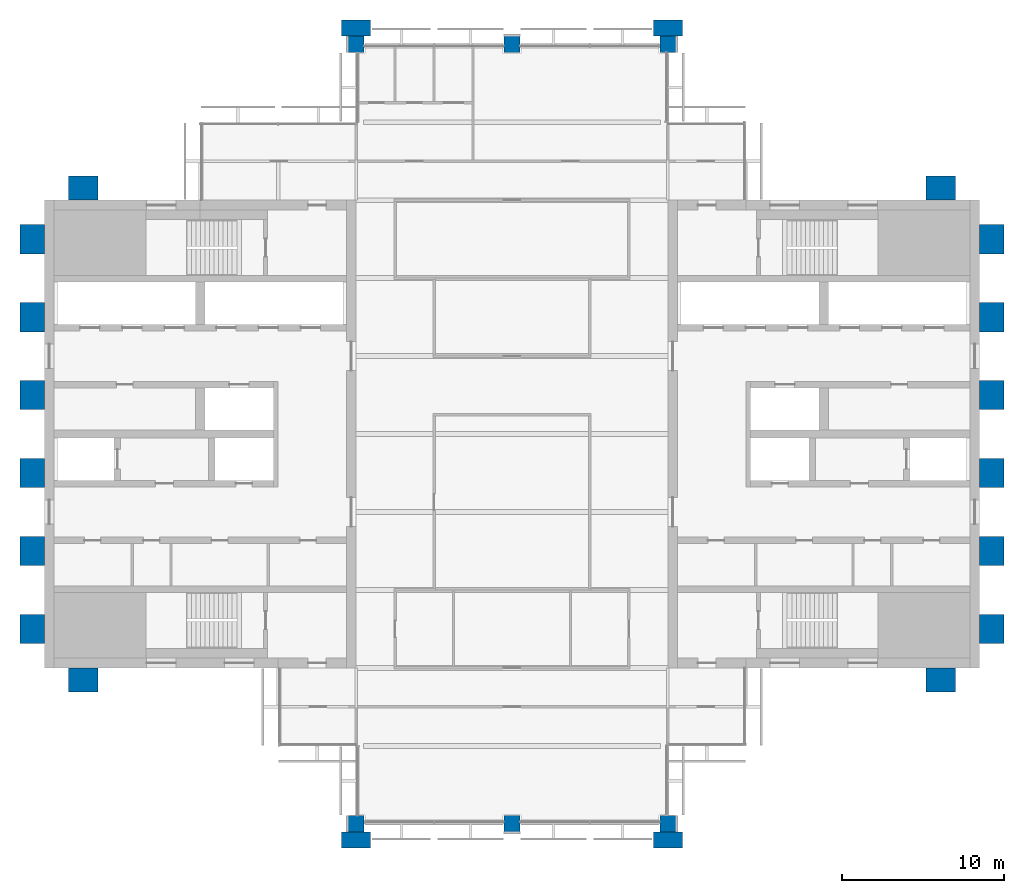
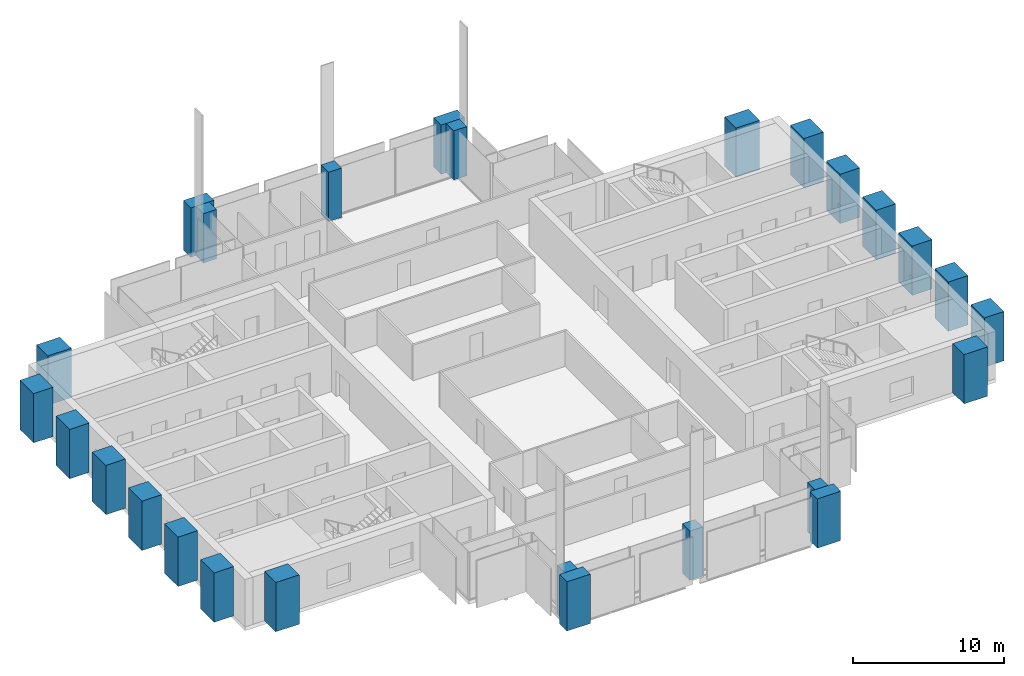
# One storey, part 1 of 12: 26 columns.
"""IFC4 building model written with IfcOpenShell, lengths in metres."""

from ifc_helpers import new_model, si_unit, direction, frame, origin, origin_2d, place, context, subcontext, project, spatial, rectangle, extrude, material, material_profile, profile_set, type_object, element, save


model = new_model("IFC4")

# Units and contexts
model_context = context("Model", 3, precision=1e-05, world=origin(), true_north=direction((0.0, 1.0)))
body_context = subcontext(model_context, "Body", "Model", "MODEL_VIEW")
ifc_project = project(units=[si_unit("LENGTHUNIT", "METRE"), si_unit("AREAUNIT", "SQUARE_METRE"), si_unit("VOLUMEUNIT", "CUBIC_METRE"), si_unit("PLANEANGLEUNIT", "RADIAN"), si_unit("MASSUNIT", "GRAM", prefix="KILO")], contexts=[model_context])

# Site, building, storey
site_placement = place(None, origin())
site = spatial("IfcSite", under=ifc_project, at=site_placement, CompositionType="ELEMENT")
building_placement = place(site_placement, origin())
building = spatial("IfcBuilding", under=site, at=building_placement, Name="Baori Bourse Tower", CompositionType="ELEMENT")
storey_placement = place(building_placement, frame((0.0, 0.0, 282.300048828125)))
storey = spatial("IfcBuildingStorey", under=building, at=storey_placement, Name="L61", CompositionType="ELEMENT", Elevation=282.300048828125)

# Columns
ifc_material_1 = material(Name="Concrete f'c 60 MPa", Category="concrete")
ifc_material_profile_1 = material_profile(ifc_material_1, rectangle(XDim=1.800048828125, YDim=1.0, at=origin_2d()), Name="RC 1800x1000")
ifc_profile_set_1 = profile_set([ifc_material_profile_1], Name="Concrete f'c 60 MPa")
column_type_1 = type_object("IfcColumnType", Name="FN3 Brick pilaster 1800x1000", PredefinedType="PILASTER", material=ifc_profile_set_1)
for number, where, z_axis, x_axis, name in (
    (1, (19.199951171875, -1.0, 0.0), (0.0, 0.0, 1.0), (1.0, 0.0, 0.0), "Brick pilaster L61 17"),
    (2, (38.39990234375, -1.0, 0.0), (0.0, 0.0, 1.0), (1.0, 0.0, 0.0), "Brick pilaster L61 18"),
    (3, (19.199951171875, 49.0, 0.0), (0.0, 0.0, 1.0), (1.0, 0.0, 0.0), "Brick pilaster L61 19"),
    (4, (38.39990234375, 49.0, 0.0), (0.0, 0.0, 1.0), (1.0, 0.0, 0.0), "Brick pilaster L61 20"),
):
    element("IfcColumn", number, at=place(storey_placement, frame(where, z_axis=z_axis, x_axis=x_axis)), inside=storey, type_object=column_type_1, Name=name, PredefinedType="PILASTER", context=body_context, shape_type="SweptSolid", body=[
        extrude(rectangle(XDim=1.800048828125, YDim=1.0, at=origin_2d()), origin(), (0.0, 0.0, 1.0), 4.0),
    ])
ifc_material_2 = material(Name="Concrete f'c 60 MPa", Category="concrete")
ifc_material_profile_2 = material_profile(ifc_material_2, rectangle(XDim=1.800048828125, YDim=1.5, at=origin_2d()), Name="RC 1800x1500")
ifc_profile_set_2 = profile_set([ifc_material_profile_2], Name="Concrete f'c 60 MPa")
column_type_2 = type_object("IfcColumnType", Name="FN4 Brick flank pilaster 1800x1500", PredefinedType="PILASTER", material=ifc_profile_set_2)
for number, where, z_axis, x_axis, name in (
    (5, (55.199951171875, 8.85009765625, 0.0), (0.0, 0.0, 1.0), (1.0, 0.0, 0.0), "Brick pilaster L61 1"),
    (6, (58.35009765625, 12.0, 0.0), (0.0, 0.0, 1.0), (0.0, 1.0, 0.0), "Brick pilaster L61 2"),
    (7, (58.35009765625, 16.800048828125, 0.0), (0.0, 0.0, 1.0), (0.0, 1.0, 0.0), "Brick pilaster L61 3"),
    (8, (58.35009765625, 21.60009765625, 0.0), (0.0, 0.0, 1.0), (0.0, 1.0, 0.0), "Brick pilaster L61 4"),
    (9, (58.35009765625, 26.39990234375, 0.0), (0.0, 0.0, 1.0), (0.0, 1.0, 0.0), "Brick pilaster L61 5"),
    (10, (58.35009765625, 31.199951171875, 0.0), (0.0, 0.0, 1.0), (0.0, 1.0, 0.0), "Brick pilaster L61 6"),
    (11, (58.35009765625, 36.0, 0.0), (0.0, 0.0, 1.0), (0.0, 1.0, 0.0), "Brick pilaster L61 7"),
    (12, (55.199951171875, 39.14990234375, 0.0), (0.0, 0.0, 1.0), (1.0, 0.0, 0.0), "Brick pilaster L61 8"),
    (13, (2.39990234375, 39.14990234375, 0.0), (0.0, 0.0, 1.0), (1.0, 0.0, 0.0), "Brick pilaster L61 9"),
    (14, (-0.75, 12.0, 0.0), (0.0, 0.0, 1.0), (0.0, 1.0, 0.0), "Brick pilaster L61 10"),
    (15, (-0.75, 16.800048828125, 0.0), (0.0, 0.0, 1.0), (0.0, 1.0, 0.0), "Brick pilaster L61 11"),
    (16, (-0.75, 21.60009765625, 0.0), (0.0, 0.0, 1.0), (0.0, 1.0, 0.0), "Brick pilaster L61 12"),
    (17, (-0.75, 26.39990234375, 0.0), (0.0, 0.0, 1.0), (0.0, 1.0, 0.0), "Brick pilaster L61 13"),
    (18, (-0.75, 31.199951171875, 0.0), (0.0, 0.0, 1.0), (0.0, 1.0, 0.0), "Brick pilaster L61 14"),
    (19, (-0.75, 36.0, 0.0), (0.0, 0.0, 1.0), (0.0, 1.0, 0.0), "Brick pilaster L61 15"),
    (20, (2.39990234375, 8.85009765625, 0.0), (0.0, 0.0, 1.0), (1.0, 0.0, 0.0), "Brick pilaster L61 16"),
):
    element("IfcColumn", number, at=place(storey_placement, frame(where, z_axis=z_axis, x_axis=x_axis)), inside=storey, type_object=column_type_2, Name=name, PredefinedType="PILASTER", context=body_context, shape_type="SweptSolid", body=[
        extrude(rectangle(XDim=1.800048828125, YDim=1.5, at=origin_2d()), origin(), (0.0, 0.0, 1.0), 4.0),
    ])
ifc_material_3 = material(Name="Concrete f'c 40 MPa", Category="concrete")
ifc_material_profile_3 = material_profile(ifc_material_3, rectangle(XDim=1.0, YDim=1.0, at=origin_2d()), Name="RC 1000x1000")
ifc_profile_set_3 = profile_set([ifc_material_profile_3], Name="Concrete f'c 40 MPa")
column_type_3 = type_object("IfcColumnType", Name="Perimeter column 40 RC 1000x1000", PredefinedType="COLUMN", material=ifc_profile_set_3)
for number, where, z_axis, x_axis, name in (
    (21, (19.199951171875, 0.0, 0.0), (0.0, 0.0, 1.0), (1.0, 0.0, 0.0), "Perimeter column L61"),
    (22, (28.800048828125, 0.0, 0.0), (0.0, 0.0, 1.0), (1.0, 0.0, 0.0), "Perimeter column L61"),
    (23, (38.39990234375, 0.0, 0.0), (0.0, 0.0, 1.0), (1.0, 0.0, 0.0), "Perimeter column L61"),
    (24, (19.199951171875, 48.0, 0.0), (0.0, 0.0, 1.0), (1.0, 0.0, 0.0), "Perimeter column L61"),
    (25, (28.800048828125, 48.0, 0.0), (0.0, 0.0, 1.0), (1.0, 0.0, 0.0), "Perimeter column L61"),
    (26, (38.39990234375, 48.0, 0.0), (0.0, 0.0, 1.0), (1.0, 0.0, 0.0), "Perimeter column L61"),
):
    element("IfcColumn", number, at=place(storey_placement, frame(where, z_axis=z_axis, x_axis=x_axis)), inside=storey, type_object=column_type_3, Name=name, PredefinedType="COLUMN", context=body_context, shape_type="SweptSolid", body=[
        extrude(rectangle(XDim=1.0, YDim=1.0, at=origin_2d()), origin(), (0.0, 0.0, 1.0), 4.0),
    ])

save(model, "model.ifc")
